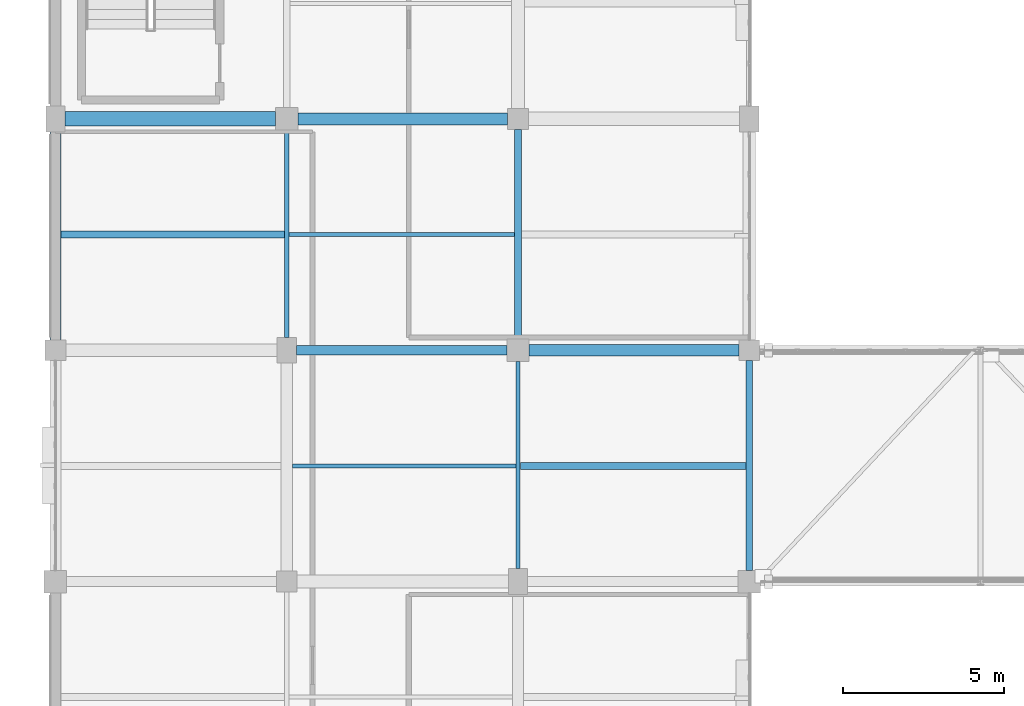
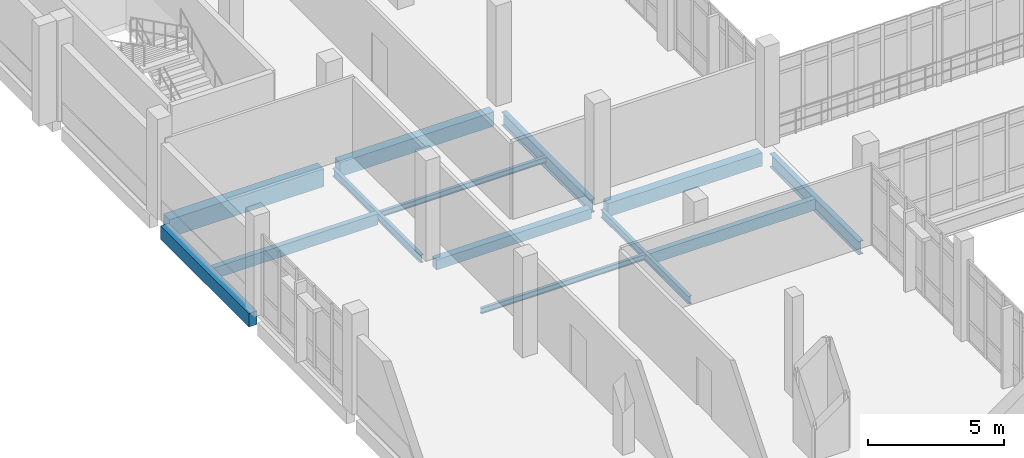
# One storey, part 16 of 116: 13 beams.
"""IFC4 building model written with IfcOpenShell, lengths in metres."""

from ifc_helpers import new_model, si_unit, direction, frame, origin, origin_2d, place, context, subcontext, project, spatial, rectangle, i_section, extrude, material, material_profile, profile_set, type_object, element, save


model = new_model("IFC4")

# Units and contexts
model_context = context("Model", 3, precision=1e-05, world=origin(), true_north=direction((0.0, 1.0)))
body_context = subcontext(model_context, "Body", "Model", "MODEL_VIEW")
ifc_project = project(units=[si_unit("LENGTHUNIT", "METRE"), si_unit("AREAUNIT", "SQUARE_METRE"), si_unit("VOLUMEUNIT", "CUBIC_METRE"), si_unit("PLANEANGLEUNIT", "RADIAN"), si_unit("MASSUNIT", "GRAM", prefix="KILO")], contexts=[model_context])

# Site, building, storey
site_placement = place(None, origin())
site = spatial("IfcSite", under=ifc_project, at=site_placement, CompositionType="ELEMENT")
building_placement = place(site_placement, origin())
building = spatial("IfcBuilding", under=site, at=building_placement, Name="Kalluvel Institute of Natural Sciences", CompositionType="ELEMENT")
storey_placement = place(building_placement, frame((0.0, 0.0, 14.39990234375)))
storey = spatial("IfcBuildingStorey", under=building, at=storey_placement, Name="L03", CompositionType="ELEMENT", Elevation=14.39990234375)

# Beams
ifc_material_1 = material(Name="Steel E350 Grade 350", Category="steel")
ifc_material_profile_1 = material_profile(ifc_material_1, i_section(OverallWidth=0.139892578125, OverallDepth=0.35009765625, WebThickness=0.008056640625, FlangeThickness=0.01416015625, FilletRadius=0.013916015625, at=origin_2d()), Name="ISMB 350")
ifc_profile_set_1 = profile_set([ifc_material_profile_1], Name="Steel E350 Grade 350")
beam_type_1 = type_object("IfcBeamType", Name="BM-ISMB350", PredefinedType="BEAM", material=ifc_profile_set_1)
for number, where, z_axis, x_axis, name in (
    (1, (21.199951171875, 36.0, -0.474853515625), (0.0, 1.0, 0.0), (-1.0, 0.0, 0.0), "L03 girder GIR-L03-NS-X212-Y356"),
    (2, (28.39990234375, 28.800048828125, -0.474853515625), (0.0, 1.0, 0.0), (-1.0, 0.0, 0.0), "L03 girder GIR-L03-NS-X284-Y284"),
):
    element("IfcBeam", number, at=place(storey_placement, frame(where, z_axis=z_axis, x_axis=x_axis)), inside=storey, type_object=beam_type_1, Name=name, PredefinedType="BEAM", context=body_context, shape_type="SweptSolid", body=[
        extrude(i_section(OverallWidth=0.139892578125, OverallDepth=0.35009765625, WebThickness=0.008056640625, FlangeThickness=0.01416015625, FilletRadius=0.013916015625, at=origin_2d()), origin(), (0.0, 0.0, 1.0), 6.449951171875),
    ])
ifc_material_profile_2 = material_profile(ifc_material_1, i_section(OverallWidth=0.2099609375, OverallDepth=0.60009765625, WebThickness=0.011962890625, FlangeThickness=0.020751953125, FilletRadius=0.02001953125, at=origin_2d()), Name="ISMB 600")
ifc_profile_set_2 = profile_set([ifc_material_profile_2], Name="Steel E350 Grade 350")
beam_type_2 = type_object("IfcBeamType", Name="BM-ISMB600", PredefinedType="BEAM", material=ifc_profile_set_2)
beam_1_placement = place(storey_placement, frame((28.39990234375, 35.949951171875, -0.599853515625), z_axis=(0.0, 1.0, 0.0), x_axis=(-1.0, 0.0, 0.0)))
element("IfcBeam", 3, at=beam_1_placement, inside=storey, type_object=beam_type_2, Name="L03 girder GIR-L03-NS-X284-Y356", PredefinedType="BEAM", context=body_context, shape_type="SweptSolid", body=[
    extrude(i_section(OverallWidth=0.2099609375, OverallDepth=0.60009765625, WebThickness=0.011962890625, FlangeThickness=0.020751953125, FilletRadius=0.02001953125, at=origin_2d()), origin(), (0.0, 0.0, 1.0), 6.525146484375),
])
beam_2_placement = place(storey_placement, frame((35.60009765625, 28.75, -0.619873046875), z_axis=(0.0, 1.0, 0.0), x_axis=(-1.0, 0.0, 0.0)))
element("IfcBeam", 4, at=beam_2_placement, inside=storey, type_object=beam_type_2, Name="L03 girder GIR-L03-NS-X356-Y284", PredefinedType="BEAM", context=body_context, shape_type="SweptSolid", body=[
    extrude(i_section(OverallWidth=0.2099609375, OverallDepth=0.60009765625, WebThickness=0.011962890625, FlangeThickness=0.020751953125, FilletRadius=0.02001953125, at=origin_2d()), origin(), (0.0, 0.0, 1.0), 6.52490234375),
])
ifc_material_2 = material(Name="Concrete M40", Category="concrete")
ifc_material_profile_3 = material_profile(ifc_material_2, rectangle(XDim=0.3798828125, YDim=0.639892578125, at=origin_2d()), Name="RCB 380x640")
ifc_profile_set_3 = profile_set([ifc_material_profile_3], Name="Concrete M40")
beam_type_3 = type_object("IfcBeamType", Name="BM-RC380x640", PredefinedType="BEAM", material=ifc_profile_set_3)
beam_3_placement = place(storey_placement, frame((21.550048828125, 42.800048828125, -0.619873046875), z_axis=(1.0, 0.0, 0.0), x_axis=(0.0, 1.0, 0.0)))
element("IfcBeam", 5, at=beam_3_placement, inside=storey, type_object=beam_type_3, Name="L03 girder GIR-L03-EW-X212-Y428", PredefinedType="BEAM", context=body_context, shape_type="SweptSolid", body=[
    extrude(rectangle(XDim=0.3798828125, YDim=0.639892578125, at=origin_2d()), origin(), (0.0, 0.0, 1.0), 6.52490234375),
])
ifc_material_profile_4 = material_profile(ifc_material_2, rectangle(XDim=0.449951171875, YDim=0.800048828125, at=origin_2d()), Name="RCB 450x800")
ifc_profile_set_4 = profile_set([ifc_material_profile_4], Name="Concrete M40")
beam_type_4 = type_object("IfcBeamType", Name="BM-RC450x800", PredefinedType="BEAM", material=ifc_profile_set_4)
beam_4_placement = place(storey_placement, frame((14.300048828125, 42.800048828125, -0.699951171875), z_axis=(1.0, 0.0, 0.0), x_axis=(0.0, 1.0, 0.0)))
element("IfcBeam", 6, at=beam_4_placement, inside=storey, type_object=beam_type_4, Name="L03 girder GIR-L03-EW-X140-Y428", PredefinedType="BEAM", context=body_context, shape_type="SweptSolid", body=[
    extrude(rectangle(XDim=0.449951171875, YDim=0.800048828125, at=origin_2d()), origin(), (0.0, 0.0, 1.0), 6.550048828125),
])
ifc_material_profile_5 = material_profile(ifc_material_2, rectangle(XDim=0.300048828125, YDim=0.449951171875, at=origin_2d()), Name="RCB 300x450")
ifc_profile_set_5 = profile_set([ifc_material_profile_5], Name="Concrete M40")
beam_type_5 = type_object("IfcBeamType", Name="SP-RC300x450", PredefinedType="SPANDREL", material=ifc_profile_set_5)
beam_5_placement = place(storey_placement, frame((21.5, 35.60009765625, -0.52490234375), z_axis=(1.0, 0.0, 0.0), x_axis=(0.0, 1.0, 0.0)))
element("IfcBeam", 7, at=beam_5_placement, inside=storey, type_object=beam_type_5, Name="L03 girder GIR-L03-EW-X212-Y356", PredefinedType="SPANDREL", context=body_context, shape_type="SweptSolid", body=[
    extrude(rectangle(XDim=0.300048828125, YDim=0.449951171875, at=origin_2d()), origin(), (0.0, 0.0, 1.0), 6.550048828125),
])
ifc_material_profile_6 = material_profile(ifc_material_2, rectangle(XDim=0.35009765625, YDim=0.60009765625, at=origin_2d()), Name="RCB 350x600")
ifc_profile_set_6 = profile_set([ifc_material_profile_6], Name="Concrete M40")
beam_type_6 = type_object("IfcBeamType", Name="SP-RC350x600", PredefinedType="SPANDREL", material=ifc_profile_set_6)
beam_6_placement = place(storey_placement, frame((28.75, 35.60009765625, -0.599853515625), z_axis=(1.0, 0.0, 0.0), x_axis=(0.0, 1.0, 0.0)))
element("IfcBeam", 8, at=beam_6_placement, inside=storey, type_object=beam_type_6, Name="L03 girder GIR-L03-EW-X284-Y356", PredefinedType="SPANDREL", context=body_context, shape_type="SweptSolid", body=[
    extrude(rectangle(XDim=0.35009765625, YDim=0.60009765625, at=origin_2d()), origin(), (0.0, 0.0, 1.0), 6.52490234375),
])
beam_7_placement = place(storey_placement, frame((14.0, 35.925048828125, -0.599853515625), z_axis=(0.0, 1.0, 0.0), x_axis=(-1.0, 0.0, 0.0)))
element("IfcBeam", 9, at=beam_7_placement, inside=storey, type_object=beam_type_6, Name="L03 girder GIR-L03-NS-X140-Y356", PredefinedType="SPANDREL", context=body_context, shape_type="SweptSolid", body=[
    extrude(rectangle(XDim=0.35009765625, YDim=0.60009765625, at=origin_2d()), origin(), (0.0, 0.0, 1.0), 6.474853515625),
])
ifc_material_profile_7 = material_profile(ifc_material_2, rectangle(XDim=0.219970703125, YDim=0.5, at=origin_2d()), Name="WAF 220x500")
ifc_profile_set_7 = profile_set([ifc_material_profile_7], Name="Concrete M40")
beam_type_7 = type_object("IfcBeamType", Name="WJ-220x500", PredefinedType="JOIST", material=ifc_profile_set_7)
beam_8_placement = place(storey_placement, frame((28.469970703125, 32.0, -0.5498046875), z_axis=(1.0, 0.0, 0.0), x_axis=(0.0, 1.0, 0.0)))
element("IfcBeam", 10, at=beam_8_placement, inside=storey, type_object=beam_type_7, Name="L03 floor rib RIB-L03-0687", PredefinedType="JOIST", context=body_context, shape_type="SweptSolid", body=[
    extrude(rectangle(XDim=0.219970703125, YDim=0.5, at=origin_2d()), origin(), (0.0, 0.0, 1.0), 7.025146484375),
])
beam_9_placement = place(storey_placement, frame((14.175048828125, 39.199951171875, -0.5498046875), z_axis=(1.0, 0.0, 0.0), x_axis=(0.0, 1.0, 0.0)))
element("IfcBeam", 11, at=beam_9_placement, inside=storey, type_object=beam_type_7, Name="L03 floor rib RIB-L03-0688", PredefinedType="JOIST", context=body_context, shape_type="SweptSolid", body=[
    extrude(rectangle(XDim=0.219970703125, YDim=0.5, at=origin_2d()), origin(), (0.0, 0.0, 1.0), 6.954833984375),
])
ifc_material_profile_8 = material_profile(ifc_material_1, i_section(OverallWidth=0.125, OverallDepth=0.25, WebThickness=0.0068359375, FlangeThickness=0.012451171875, FilletRadius=0.012939453125, at=origin_2d()), Name="ISMB 250")
ifc_profile_set_8 = profile_set([ifc_material_profile_8], Name="Steel E350 Grade 350")
beam_type_8 = type_object("IfcBeamType", Name="WJ-ISMB250", PredefinedType="JOIST", material=ifc_profile_set_8)
beam_10_placement = place(storey_placement, frame((21.375, 32.0, -0.4248046875), z_axis=(1.0, 0.0, 0.0), x_axis=(0.0, 1.0, 0.0)))
element("IfcBeam", 12, at=beam_10_placement, inside=storey, type_object=beam_type_8, Name="L03 floor rib RIB-L03-0686", PredefinedType="JOIST", context=body_context, shape_type="SweptSolid", body=[
    extrude(i_section(OverallWidth=0.125, OverallDepth=0.25, WebThickness=0.0068359375, FlangeThickness=0.012451171875, FilletRadius=0.012939453125, at=origin_2d()), origin(), (0.0, 0.0, 1.0), 6.955078125),
])
beam_11_placement = place(storey_placement, frame((21.27001953125, 39.199951171875, -0.4248046875), z_axis=(1.0, 0.0, 0.0), x_axis=(0.0, 1.0, 0.0)))
element("IfcBeam", 13, at=beam_11_placement, inside=storey, type_object=beam_type_8, Name="L03 floor rib RIB-L03-0689", PredefinedType="JOIST", context=body_context, shape_type="SweptSolid", body=[
    extrude(i_section(OverallWidth=0.125, OverallDepth=0.25, WebThickness=0.0068359375, FlangeThickness=0.012451171875, FilletRadius=0.012939453125, at=origin_2d()), origin(), (0.0, 0.0, 1.0), 7.02490234375),
])

save(model, "model.ifc")
